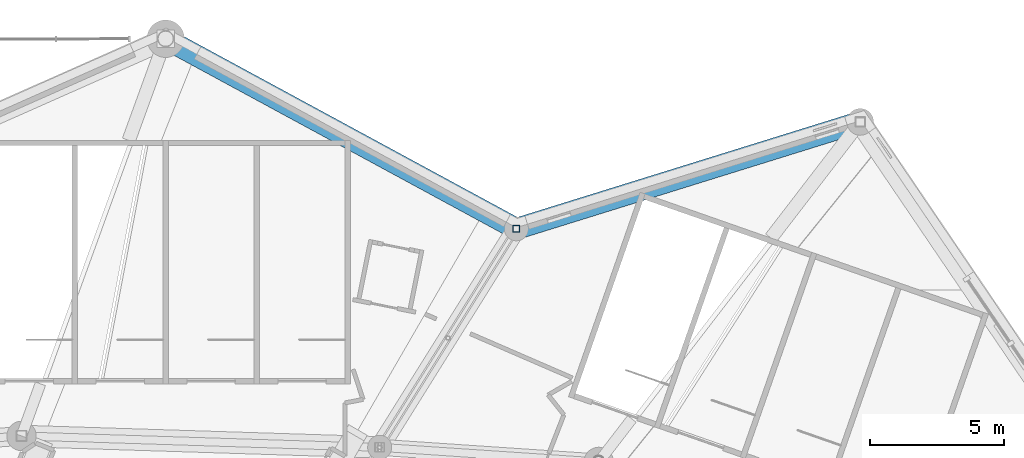
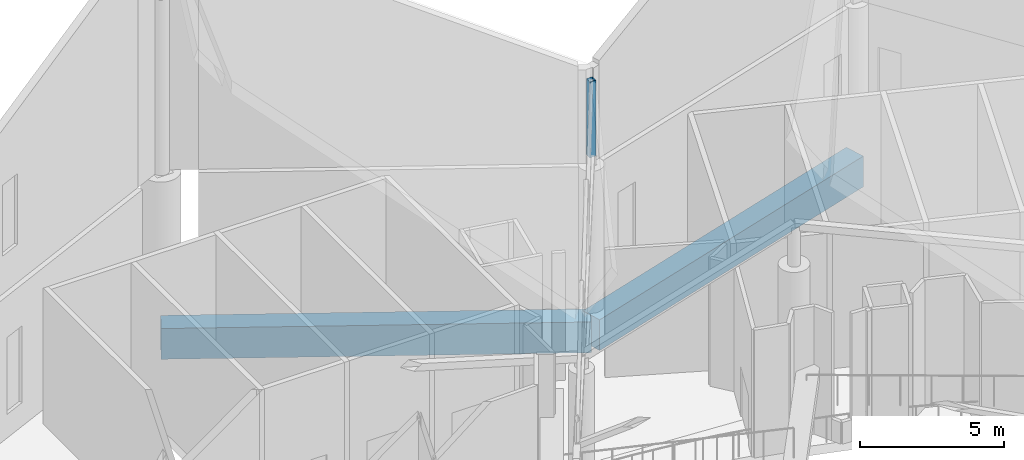
# One storey, part 203 of 344: 2 beams, 1 member.
"""IFC4 building model written with IfcOpenShell, lengths in metres."""

from ifc_helpers import new_model, si_unit, direction, frame, origin, origin_2d, place, context, subcontext, project, spatial, rectangle, hollow_rectangle, extrude, material, material_profile, profile_set, type_object, element, save


model = new_model("IFC4")

# Units and contexts
model_context = context("Model", 3, precision=1e-05, world=origin(), true_north=direction((0.0, 1.0)))
body_context = subcontext(model_context, "Body", "Model", "MODEL_VIEW")
ifc_project = project(units=[si_unit("LENGTHUNIT", "METRE"), si_unit("AREAUNIT", "SQUARE_METRE"), si_unit("VOLUMEUNIT", "CUBIC_METRE"), si_unit("PLANEANGLEUNIT", "RADIAN"), si_unit("MASSUNIT", "GRAM", prefix="KILO")], contexts=[model_context])

# Site, building, storey
site_placement = place(None, origin())
site = spatial("IfcSite", under=ifc_project, at=site_placement, CompositionType="ELEMENT")
building_placement = place(site_placement, origin())
building = spatial("IfcBuilding", under=site, at=building_placement, Name="Meseta Stadium", CompositionType="ELEMENT")
storey_placement = place(building_placement, frame((0.0, 0.0, 24.0)))
storey = spatial("IfcBuildingStorey", under=building, at=storey_placement, Name="L04", CompositionType="ELEMENT", Elevation=24.0)

# Beams
ifc_material_1 = material(Name="Concrete C40/50", Category="concrete")
ifc_material_profile_1 = material_profile(ifc_material_1, rectangle(XDim=0.800048828125, YDim=1.300048828125, at=origin_2d()), Name="RC 800x1300")
ifc_profile_set_1 = profile_set([ifc_material_profile_1], Name="Concrete C40/50")
beam_type = type_object("IfcBeamType", Name="RC beam 800x1300", PredefinedType="BEAM", material=ifc_profile_set_1)
beam_1_placement = place(storey_placement, frame((64.297607421875, 102.291015625, -1.050048828125), z_axis=(-0.954922594045, -0.296854913016, 0.0), x_axis=(0.296854913016, -0.954922594045, 0.0)))
element("IfcBeam", 1, at=beam_1_placement, inside=storey, type_object=beam_type, Name="L04 ring beam frame 14 line R", PredefinedType="BEAM", context=body_context, shape_type="SweptSolid", body=[
    extrude(rectangle(XDim=0.800048828125, YDim=1.300048828125, at=origin_2d()), origin(), (0.0, 0.0, 1.0), 13.463134765625),
])
beam_2_placement = place(storey_placement, frame((51.44140625, 98.29443359375, -1.050048828125), z_axis=(-0.879145348638, 0.476553728311, 0.0), x_axis=(-0.476553728311, -0.879145348638, 0.0)))
element("IfcBeam", 2, at=beam_2_placement, inside=storey, type_object=beam_type, Name="L04 ring beam frame 15 line R", PredefinedType="BEAM", context=body_context, shape_type="SweptSolid", body=[
    extrude(rectangle(XDim=0.800048828125, YDim=1.300048828125, at=origin_2d()), origin(), (0.0, 0.0, 1.0), 14.91015625),
])

# Member
ifc_material_2 = material(Name="Steel S355", Category="steel")
ifc_material_profile_2 = material_profile(ifc_material_2, hollow_rectangle(XDim=0.25, YDim=0.25, WallThickness=0.010009765625, at=origin_2d()), Name="SHS 250x250x10")
ifc_profile_set_2 = profile_set([ifc_material_profile_2], Name="Steel S355")
member_type = type_object("IfcMemberType", Name="SHS 250x250x10 rim post", PredefinedType="POST", material=ifc_profile_set_2)
member_placement = place(storey_placement, frame((51.44140625, 98.29443359375, 6.377685546875), z_axis=(0.0, 0.0, 1.0), x_axis=(1.0, 0.0, 0.0)))
element("IfcMember", 3, at=member_placement, inside=storey, type_object=member_type, Name="ROOF TRUSS RT-15 post", PredefinedType="POST", context=body_context, shape_type="SweptSolid", body=[
    extrude(hollow_rectangle(XDim=0.25, YDim=0.25, WallThickness=0.010009765625, at=origin_2d()), origin(), (0.0, 0.0, 1.0), 3.199951171875),
])

save(model, "model.ifc")
